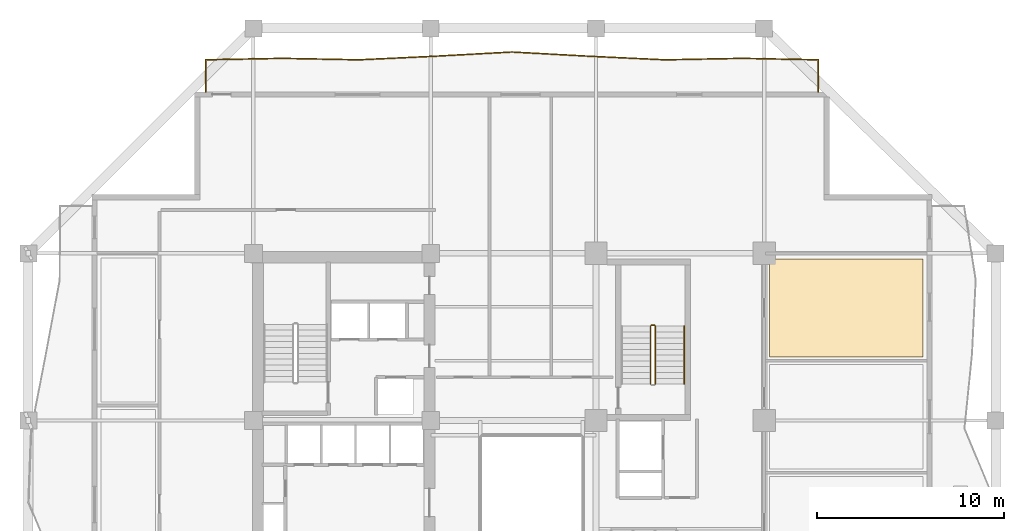
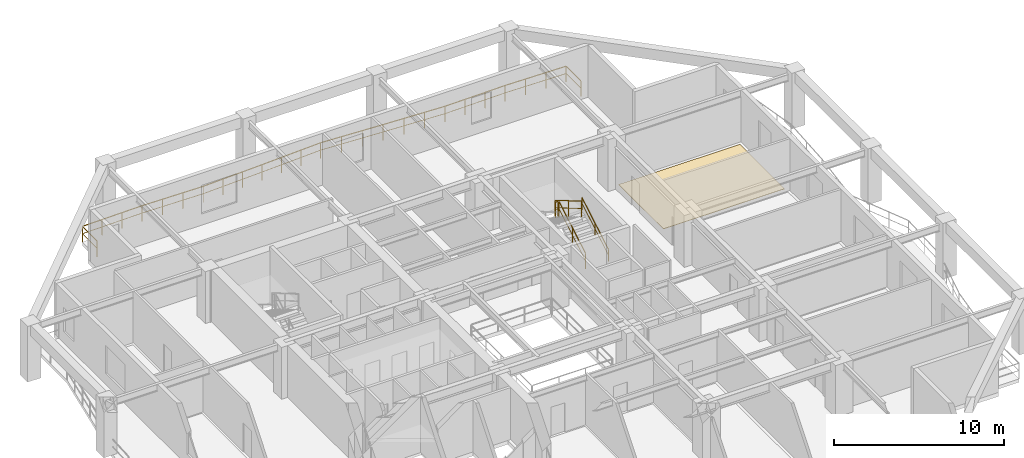
# One storey, part 12 of 13: 5 railings, 1 covering.
"""IFC4 building model written with IfcOpenShell, lengths in metres."""

from ifc_helpers import new_model, si_unit, direction, frame, origin, origin_2d, place, context, subcontext, project, spatial, polyline, rectangle, outline, extrude, material, layer, layer_set, type_object, element, save


model = new_model("IFC4")

# Units and contexts
model_context = context("Model", 3, precision=1e-05, world=origin(), true_north=direction((0.0, 1.0)))
body_context = subcontext(model_context, "Body", "Model", "MODEL_VIEW")
ifc_project = project(units=[si_unit("LENGTHUNIT", "METRE"), si_unit("AREAUNIT", "SQUARE_METRE"), si_unit("VOLUMEUNIT", "CUBIC_METRE"), si_unit("PLANEANGLEUNIT", "RADIAN"), si_unit("MASSUNIT", "GRAM", prefix="KILO")], contexts=[model_context])

# Site, building, storey
site_placement = place(None, origin())
site = spatial("IfcSite", under=ifc_project, at=site_placement, CompositionType="ELEMENT")
building_placement = place(site_placement, origin())
building = spatial("IfcBuilding", under=site, at=building_placement, Name="Kundavana Baori Tower", CompositionType="ELEMENT")
storey_placement = place(building_placement, frame((0.0, 0.0, 54.0)))
storey = spatial("IfcBuildingStorey", under=building, at=storey_placement, Name="L12", CompositionType="ELEMENT", Elevation=54.0)

# Covering
ifc_material_1 = material(Name="Honed Kota Stone and Terrazzo Flooring", Category="masonry")
ifc_layer = layer(ifc_material_1, 0.030029296875, Name="COV-INT-FLR")
ifc_layer_set = layer_set([ifc_layer], Name="Honed Kota Stone and Terrazzo Flooring")
covering_type = type_object("IfcCoveringType", Name="COV-INT-FLR", PredefinedType="FLOORING", material=ifc_layer_set)
covering_placement = place(storey_placement, origin())
element("IfcCovering", 1, at=covering_placement, inside=storey, type_object=covering_type, Name="L12 Room Finished Stone Flooring 11", PredefinedType="FLOORING", context=body_context, shape_type="SweptSolid", body=[
    extrude(outline(polyline([(43.10009765625, 36.39990234375), (51.320068359375, 36.39990234375), (51.320068359375, 41.64990234375), (43.10009765625, 41.64990234375), (43.10009765625, 36.39990234375)])), origin(), (0.0, 0.0, 1.0), 0.030029296875),
])

# Railings
ifc_material_2 = material(Name="Architectural Patinated Bronze Metalwork")
railing_type_1 = type_object("IfcRailingType", Name="RL-BAL-1150", PredefinedType="BALUSTRADE", material=ifc_material_2)
railing_1_placement = place(storey_placement, frame((12.89990234375, 50.60009765625, 0.0)))
element("IfcRailing", 2, at=railing_1_placement, inside=storey, type_object=railing_type_1, Name="L12 Loggia Balcony Balustrade N", PredefinedType="BALUSTRADE", context=body_context, shape_type="SweptSolid", body=[
    extrude(rectangle(XDim=0.048095703125, YDim=0.048095703125, at=origin_2d()), frame((0.0, 0.0, 1.1259765625), z_axis=(0.0, 1.0, 0.0), x_axis=(-1.0, 0.0, 0.0)), (0.0, 0.0, 1.0), 1.719970703125),
    extrude(rectangle(XDim=0.03125, YDim=0.03125, at=origin_2d()), frame((0.0, 0.0, 0.597900390625), z_axis=(0.0, 1.0, 0.0), x_axis=(-1.0, 0.0, 0.0)), (0.0, 0.0, 1.0), 1.719970703125),
    extrude(rectangle(XDim=0.048095703125, YDim=0.048095703125, at=origin_2d()), frame((0.0, 1.719970703125, 1.1259765625), z_axis=(0.999810489297, 0.01946754972, 0.0), x_axis=(-0.01946754972, 0.999810489297, 0.0)), (0.0, 0.0, 1.0), 4.100830078125),
    extrude(rectangle(XDim=0.03125, YDim=0.03125, at=origin_2d()), frame((0.0, 1.719970703125, 0.597900390625), z_axis=(0.999810489297, 0.01946754972, 0.0), x_axis=(-0.01946754972, 0.999810489297, 0.0)), (0.0, 0.0, 1.0), 4.100830078125),
    extrude(rectangle(XDim=0.048095703125, YDim=0.048095703125, at=origin_2d()), frame((4.10009765625, 1.7998046875, 1.1259765625), z_axis=(0.999810489297, -0.01946754972, 0.0), x_axis=(0.01946754972, 0.999810489297, 0.0)), (0.0, 0.0, 1.0), 4.100830078125),
    extrude(rectangle(XDim=0.03125, YDim=0.03125, at=origin_2d()), frame((4.10009765625, 1.7998046875, 0.597900390625), z_axis=(0.999810489297, -0.01946754972, 0.0), x_axis=(0.01946754972, 0.999810489297, 0.0)), (0.0, 0.0, 1.0), 4.100830078125),
    extrude(rectangle(XDim=0.048095703125, YDim=0.048095703125, at=origin_2d()), frame((8.2001953125, 1.719970703125, 1.1259765625), z_axis=(0.998884095541, 0.047228843677, 0.0), x_axis=(-0.047228843677, 0.998884095541, 0.0)), (0.0, 0.0, 1.0), 4.1044921875),
    extrude(rectangle(XDim=0.03125, YDim=0.03125, at=origin_2d()), frame((8.2001953125, 1.719970703125, 0.597900390625), z_axis=(0.998884095541, 0.047228843677, 0.0), x_axis=(-0.047228843677, 0.998884095541, 0.0)), (0.0, 0.0, 1.0), 4.1044921875),
    extrude(rectangle(XDim=0.048095703125, YDim=0.048095703125, at=origin_2d()), frame((12.300048828125, 1.913818359375, 1.1259765625), z_axis=(0.998483317155, 0.055055112045, 0.0), x_axis=(-0.055055112045, 0.998483317155, 0.0)), (0.0, 0.0, 1.0), 4.1064453125),
    extrude(rectangle(XDim=0.03125, YDim=0.03125, at=origin_2d()), frame((12.300048828125, 1.913818359375, 0.597900390625), z_axis=(0.998483317155, 0.055055112045, 0.0), x_axis=(-0.055055112045, 0.998483317155, 0.0)), (0.0, 0.0, 1.0), 4.1064453125),
    extrude(rectangle(XDim=0.048095703125, YDim=0.048095703125, at=origin_2d()), frame((16.400146484375, 2.139892578125, 1.1259765625), z_axis=(0.998483136928, -0.055058380563, 0.0), x_axis=(0.055058380563, 0.998483136928, 0.0)), (0.0, 0.0, 1.0), 4.106201171875),
    extrude(rectangle(XDim=0.03125, YDim=0.03125, at=origin_2d()), frame((16.400146484375, 2.139892578125, 0.597900390625), z_axis=(0.998483136928, -0.055058380563, 0.0), x_axis=(0.055058380563, 0.998483136928, 0.0)), (0.0, 0.0, 1.0), 4.106201171875),
    extrude(rectangle(XDim=0.048095703125, YDim=0.048095703125, at=origin_2d()), frame((20.5, 1.913818359375, 1.1259765625), z_axis=(0.998884228208, -0.047226037704, 0.0), x_axis=(0.047226037704, 0.998884228208, 0.0)), (0.0, 0.0, 1.0), 4.104736328125),
    extrude(rectangle(XDim=0.03125, YDim=0.03125, at=origin_2d()), frame((20.5, 1.913818359375, 0.597900390625), z_axis=(0.998884228208, -0.047226037704, 0.0), x_axis=(0.047226037704, 0.998884228208, 0.0)), (0.0, 0.0, 1.0), 4.104736328125),
    extrude(rectangle(XDim=0.048095703125, YDim=0.048095703125, at=origin_2d()), frame((24.60009765625, 1.719970703125, 1.1259765625), z_axis=(0.999810489297, 0.01946754972, 0.0), x_axis=(-0.01946754972, 0.999810489297, 0.0)), (0.0, 0.0, 1.0), 4.100830078125),
    extrude(rectangle(XDim=0.03125, YDim=0.03125, at=origin_2d()), frame((24.60009765625, 1.719970703125, 0.597900390625), z_axis=(0.999810489297, 0.01946754972, 0.0), x_axis=(-0.01946754972, 0.999810489297, 0.0)), (0.0, 0.0, 1.0), 4.100830078125),
    extrude(rectangle(XDim=0.048095703125, YDim=0.048095703125, at=origin_2d()), frame((28.7001953125, 1.7998046875, 1.1259765625), z_axis=(0.999810466732, -0.019468708547, 0.0), x_axis=(0.019468708547, 0.999810466732, 0.0)), (0.0, 0.0, 1.0), 4.1005859375),
    extrude(rectangle(XDim=0.03125, YDim=0.03125, at=origin_2d()), frame((28.7001953125, 1.7998046875, 0.597900390625), z_axis=(0.999810466732, -0.019468708547, 0.0), x_axis=(0.019468708547, 0.999810466732, 0.0)), (0.0, 0.0, 1.0), 4.1005859375),
    extrude(rectangle(XDim=0.048095703125, YDim=0.048095703125, at=origin_2d()), frame((32.800048828125, 1.719970703125, 1.1259765625), z_axis=(0.0, -1.0, 0.0), x_axis=(1.0, 0.0, 0.0)), (0.0, 0.0, 1.0), 1.719970703125),
    extrude(rectangle(XDim=0.03125, YDim=0.03125, at=origin_2d()), frame((32.800048828125, 1.719970703125, 0.597900390625), z_axis=(0.0, -1.0, 0.0), x_axis=(1.0, 0.0, 0.0)), (0.0, 0.0, 1.0), 1.719970703125),
    extrude(rectangle(XDim=0.0419921875, YDim=0.0419921875, at=origin_2d()), origin(), (0.0, 0.0, 1.0), 1.101806640625),
    extrude(rectangle(XDim=0.0419921875, YDim=0.0419921875, at=origin_2d()), frame((0.0, 1.719970703125, 0.0)), (0.0, 0.0, 1.0), 1.101806640625),
    extrude(rectangle(XDim=0.0419921875, YDim=0.0419921875, at=origin_2d()), frame((1.36669921875, 1.74658203125, 0.0)), (0.0, 0.0, 1.0), 1.101806640625),
    extrude(rectangle(XDim=0.0419921875, YDim=0.0419921875, at=origin_2d()), frame((2.7333984375, 1.773193359375, 0.0)), (0.0, 0.0, 1.0), 1.101806640625),
    extrude(rectangle(XDim=0.0419921875, YDim=0.0419921875, at=origin_2d()), frame((4.10009765625, 1.7998046875, 0.0)), (0.0, 0.0, 1.0), 1.101806640625),
    extrude(rectangle(XDim=0.0419921875, YDim=0.0419921875, at=origin_2d()), frame((5.466796875, 1.773193359375, 0.0)), (0.0, 0.0, 1.0), 1.101806640625),
    extrude(rectangle(XDim=0.0419921875, YDim=0.0419921875, at=origin_2d()), frame((6.83349609375, 1.74658203125, 0.0)), (0.0, 0.0, 1.0), 1.101806640625),
    extrude(rectangle(XDim=0.0419921875, YDim=0.0419921875, at=origin_2d()), frame((8.2001953125, 1.719970703125, 0.0)), (0.0, 0.0, 1.0), 1.101806640625),
    extrude(rectangle(XDim=0.0419921875, YDim=0.0419921875, at=origin_2d()), frame((9.56689453125, 1.78466796875, 0.0)), (0.0, 0.0, 1.0), 1.101806640625),
    extrude(rectangle(XDim=0.0419921875, YDim=0.0419921875, at=origin_2d()), frame((10.933349609375, 1.84912109375, 0.0)), (0.0, 0.0, 1.0), 1.101806640625),
    extrude(rectangle(XDim=0.0419921875, YDim=0.0419921875, at=origin_2d()), frame((12.300048828125, 1.913818359375, 0.0)), (0.0, 0.0, 1.0), 1.101806640625),
    extrude(rectangle(XDim=0.0419921875, YDim=0.0419921875, at=origin_2d()), frame((13.666748046875, 1.9892578125, 0.0)), (0.0, 0.0, 1.0), 1.101806640625),
    extrude(rectangle(XDim=0.0419921875, YDim=0.0419921875, at=origin_2d()), frame((15.033447265625, 2.064453125, 0.0)), (0.0, 0.0, 1.0), 1.101806640625),
    extrude(rectangle(XDim=0.0419921875, YDim=0.0419921875, at=origin_2d()), frame((16.400146484375, 2.139892578125, 0.0)), (0.0, 0.0, 1.0), 1.101806640625),
    extrude(rectangle(XDim=0.0419921875, YDim=0.0419921875, at=origin_2d()), frame((17.766845703125, 2.064453125, 0.0)), (0.0, 0.0, 1.0), 1.101806640625),
    extrude(rectangle(XDim=0.0419921875, YDim=0.0419921875, at=origin_2d()), frame((19.13330078125, 1.9892578125, 0.0)), (0.0, 0.0, 1.0), 1.101806640625),
    extrude(rectangle(XDim=0.0419921875, YDim=0.0419921875, at=origin_2d()), frame((20.5, 1.913818359375, 0.0)), (0.0, 0.0, 1.0), 1.101806640625),
    extrude(rectangle(XDim=0.0419921875, YDim=0.0419921875, at=origin_2d()), frame((21.86669921875, 1.84912109375, 0.0)), (0.0, 0.0, 1.0), 1.101806640625),
    extrude(rectangle(XDim=0.0419921875, YDim=0.0419921875, at=origin_2d()), frame((23.2333984375, 1.78466796875, 0.0)), (0.0, 0.0, 1.0), 1.101806640625),
    extrude(rectangle(XDim=0.0419921875, YDim=0.0419921875, at=origin_2d()), frame((24.60009765625, 1.719970703125, 0.0)), (0.0, 0.0, 1.0), 1.101806640625),
    extrude(rectangle(XDim=0.0419921875, YDim=0.0419921875, at=origin_2d()), frame((25.966796875, 1.74658203125, 0.0)), (0.0, 0.0, 1.0), 1.101806640625),
    extrude(rectangle(XDim=0.0419921875, YDim=0.0419921875, at=origin_2d()), frame((27.33349609375, 1.773193359375, 0.0)), (0.0, 0.0, 1.0), 1.101806640625),
    extrude(rectangle(XDim=0.0419921875, YDim=0.0419921875, at=origin_2d()), frame((28.7001953125, 1.7998046875, 0.0)), (0.0, 0.0, 1.0), 1.101806640625),
    extrude(rectangle(XDim=0.0419921875, YDim=0.0419921875, at=origin_2d()), frame((30.06689453125, 1.773193359375, 0.0)), (0.0, 0.0, 1.0), 1.101806640625),
    extrude(rectangle(XDim=0.0419921875, YDim=0.0419921875, at=origin_2d()), frame((31.433349609375, 1.74658203125, 0.0)), (0.0, 0.0, 1.0), 1.101806640625),
    extrude(rectangle(XDim=0.0419921875, YDim=0.0419921875, at=origin_2d()), frame((32.800048828125, 1.719970703125, 0.0)), (0.0, 0.0, 1.0), 1.101806640625),
    extrude(rectangle(XDim=0.0419921875, YDim=0.0419921875, at=origin_2d()), frame((32.800048828125, 0.0, 0.0)), (0.0, 0.0, 1.0), 1.101806640625),
])
ifc_material_3 = material(Name="Architectural Patinated Bronze Metalwork")
railing_type_2 = type_object("IfcRailingType", Name="RL-GRD-1150", PredefinedType="GUARDRAIL", material=ifc_material_3)
railing_2_placement = place(storey_placement, frame((36.97998046875, 34.949951171875, 0.181884765625)))
element("IfcRailing", 3, at=railing_2_placement, inside=storey, type_object=railing_type_2, Name="L12 ST3 stair guard 1", PredefinedType="GUARDRAIL", context=body_context, shape_type="SweptSolid", body=[
    extrude(rectangle(XDim=0.048095703125, YDim=0.048095703125, at=origin_2d()), frame((0.0, 0.0, 1.1259765625), z_axis=(0.0, 0.862598821094, 0.505888598258), x_axis=(-1.0, 0.0, 0.0)), (0.0, 0.0, 1.0), 3.593994140625),
    extrude(rectangle(XDim=0.03125, YDim=0.03125, at=origin_2d()), frame((0.0, 0.0, 0.597900390625), z_axis=(0.0, 0.862598821094, 0.505888598258), x_axis=(-1.0, 0.0, 0.0)), (0.0, 0.0, 1.0), 3.593994140625),
    extrude(rectangle(XDim=0.0419921875, YDim=0.0419921875, at=origin_2d()), origin(), (0.0, 0.0, 1.0), 1.101806640625),
    extrude(rectangle(XDim=0.0419921875, YDim=0.0419921875, at=origin_2d()), frame((0.0, 1.550048828125, 0.9091796875)), (0.0, 0.0, 1.0), 1.101806640625),
    extrude(rectangle(XDim=0.0419921875, YDim=0.0419921875, at=origin_2d()), frame((0.0, 3.10009765625, 1.818115234375)), (0.0, 0.0, 1.0), 1.101806640625),
])
railing_3_placement = place(storey_placement, frame((36.929931640625, 38.10009765625, 2.0)))
element("IfcRailing", 4, at=railing_3_placement, inside=storey, type_object=railing_type_2, Name="L12 ST3 stair guard 2", PredefinedType="GUARDRAIL", context=body_context, shape_type="SweptSolid", body=[
    extrude(rectangle(XDim=0.048095703125, YDim=0.048095703125, at=origin_2d()), frame((0.0, 0.0, 1.1259765625), z_axis=(-1.0, 0.0, 0.0), x_axis=(0.0, -1.0, 0.0)), (0.0, 0.0, 1.0), 0.159912109375),
    extrude(rectangle(XDim=0.03125, YDim=0.03125, at=origin_2d()), frame((0.0, 0.0, 0.597900390625), z_axis=(-1.0, 0.0, 0.0), x_axis=(0.0, -1.0, 0.0)), (0.0, 0.0, 1.0), 0.159912109375),
    extrude(rectangle(XDim=0.0419921875, YDim=0.0419921875, at=origin_2d()), origin(), (0.0, 0.0, 1.0), 1.101806640625),
    extrude(rectangle(XDim=0.0419921875, YDim=0.0419921875, at=origin_2d()), frame((-0.159912109375, 0.0, 0.0)), (0.0, 0.0, 1.0), 1.101806640625),
])
railing_4_placement = place(storey_placement, frame((36.719970703125, 38.050048828125, 2.181884765625)))
element("IfcRailing", 5, at=railing_4_placement, inside=storey, type_object=railing_type_2, Name="L12 ST3 stair guard 3", PredefinedType="GUARDRAIL", context=body_context, shape_type="SweptSolid", body=[
    extrude(rectangle(XDim=0.048095703125, YDim=0.048095703125, at=origin_2d()), frame((0.0, 0.0, 1.1259765625), z_axis=(0.0, -0.862598821094, 0.505888598258), x_axis=(1.0, 0.0, 0.0)), (0.0, 0.0, 1.0), 3.593994140625),
    extrude(rectangle(XDim=0.03125, YDim=0.03125, at=origin_2d()), frame((0.0, 0.0, 0.597900390625), z_axis=(0.0, -0.862598821094, 0.505888598258), x_axis=(1.0, 0.0, 0.0)), (0.0, 0.0, 1.0), 3.593994140625),
    extrude(rectangle(XDim=0.0419921875, YDim=0.0419921875, at=origin_2d()), origin(), (0.0, 0.0, 1.0), 1.101806640625),
    extrude(rectangle(XDim=0.0419921875, YDim=0.0419921875, at=origin_2d()), frame((0.0, -1.550048828125, 0.9091796875)), (0.0, 0.0, 1.0), 1.101806640625),
    extrude(rectangle(XDim=0.0419921875, YDim=0.0419921875, at=origin_2d()), frame((0.0, -3.10009765625, 1.818115234375)), (0.0, 0.0, 1.0), 1.101806640625),
])
ifc_material_4 = material(Name="Architectural Patinated Bronze Metalwork")
railing_type_3 = type_object("IfcRailingType", Name="RL-HND-920", PredefinedType="HANDRAIL", material=ifc_material_4)
railing_5_placement = place(storey_placement, frame((38.530029296875, 34.949951171875, 0.181884765625)))
element("IfcRailing", 6, at=railing_5_placement, inside=storey, type_object=railing_type_3, Name="L12 ST3 stair handrail 1", PredefinedType="HANDRAIL", context=body_context, shape_type="SweptSolid", body=[
    extrude(rectangle(XDim=0.048095703125, YDim=0.048095703125, at=origin_2d()), frame((0.0, 0.0, 0.8759765625), z_axis=(0.0, 0.862598821094, 0.505888598258), x_axis=(-1.0, 0.0, 0.0)), (0.0, 0.0, 1.0), 3.593994140625),
    extrude(rectangle(XDim=0.03125, YDim=0.03125, at=origin_2d()), frame((0.0, 0.0, 0.468017578125), z_axis=(0.0, 0.862598821094, 0.505888598258), x_axis=(-1.0, 0.0, 0.0)), (0.0, 0.0, 1.0), 3.593994140625),
    extrude(rectangle(XDim=0.0419921875, YDim=0.0419921875, at=origin_2d()), origin(), (0.0, 0.0, 1.0), 0.851806640625),
    extrude(rectangle(XDim=0.0419921875, YDim=0.0419921875, at=origin_2d()), frame((0.0, 1.550048828125, 0.9091796875)), (0.0, 0.0, 1.0), 0.851806640625),
    extrude(rectangle(XDim=0.0419921875, YDim=0.0419921875, at=origin_2d()), frame((0.0, 3.10009765625, 1.818115234375)), (0.0, 0.0, 1.0), 0.851806640625),
])

save(model, "model.ifc")
